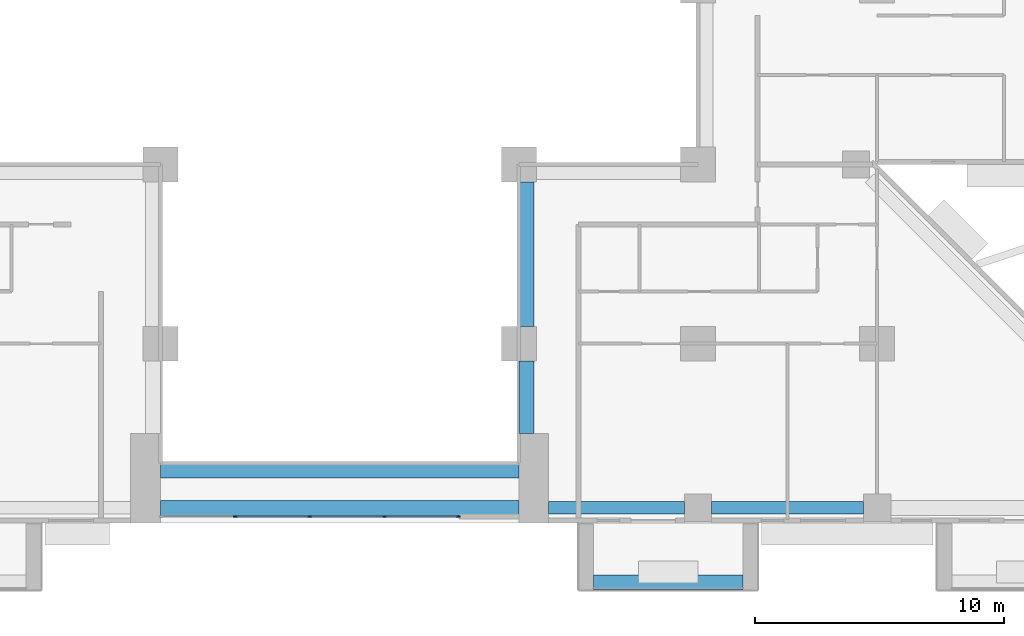
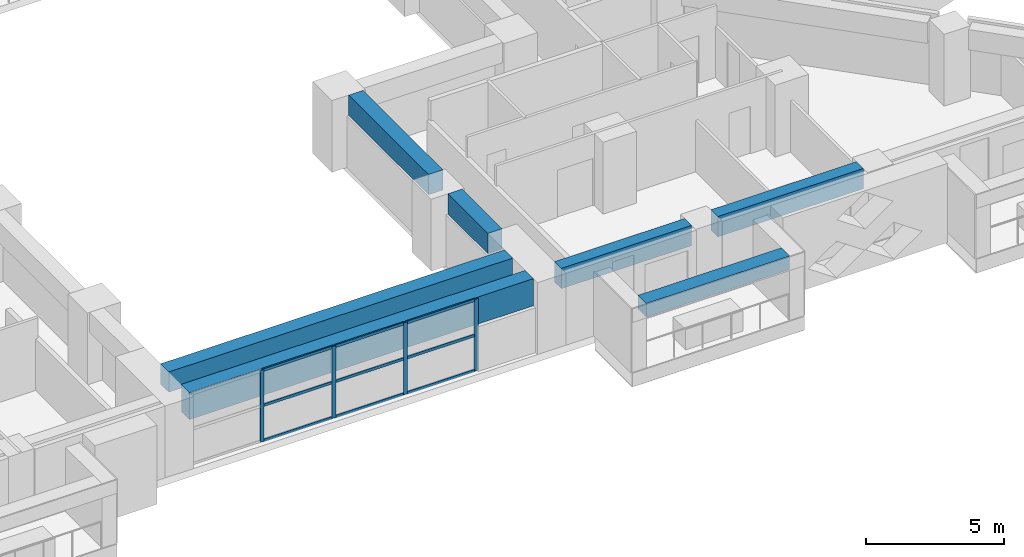
# One storey, part 4 of 17: 13 members, 7 beams, 1 element without a shape of its own.
"""IFC4 building model written with IfcOpenShell, lengths in metres."""

import ifcopenshell
import ifcopenshell.guid

model = None  # the IFC model being written
_history = None  # IfcOwnerHistory: only IFC2X3 demands one
_inside = {}  # id of a spatial element -> (the spatial element, [elements in it])
_under = {}  # id of a project, library or spatial element -> (it, [spatial elements below it])
_declared = {}  # id of a project -> (the project, [libraries it declares])
_typed = {}  # id of a type object -> (the type object, [elements of that type])
_made_of = {}  # id of a material, layer set ... -> (it, [elements and type objects made of it])


def new_model(schema):
    """Start an empty IFC model of exactly this schema.

    Asked for "IFC4X3", IfcOpenShell would pick the latest addendum, in which some entities
    have other attributes; the version numbers below select the first issue.
    IFC2X3 requires an IfcOwnerHistory on every rooted entity: one is made here for all.
    """
    global model, _history
    if schema == "IFC4X3":
        model = ifcopenshell.file(schema_version=(4, 3, 0, 0))
    else:
        model = ifcopenshell.file(schema=schema)
    _inside.clear()
    _under.clear()
    _declared.clear()
    _typed.clear()
    _made_of.clear()
    _history = None
    if model.schema == "IFC2X3":
        org = make("IfcOrganization", Name="unknown")
        user = make(
            "IfcPersonAndOrganization",
            ThePerson=make("IfcPerson", FamilyName="unknown"),
            TheOrganization=org,
        )
        app = make(
            "IfcApplication",
            ApplicationDeveloper=org,
            Version="unknown",
            ApplicationFullName="unknown",
            ApplicationIdentifier="unknown",
        )
        _history = make(
            "IfcOwnerHistory",
            OwningUser=user,
            OwningApplication=app,
            ChangeAction="ADDED",
            CreationDate=0,
        )
    return model


def make(cls, **values):
    """One entity of the class cls with the attributes given. An attribute that is None is left unset."""
    return model.create_entity(
        cls, **{name: value for name, value in values.items() if value is not None}
    )


def rooted(cls, **values):
    """An entity with a GlobalId (a new one), such as an element, a storey or a relation."""
    return make(cls, GlobalId=ifcopenshell.guid.new(), OwnerHistory=_history, **values)


def si_unit(unit_type, name, prefix=None):
    """IfcSIUnit, for example si_unit("LENGTHUNIT", "METRE", prefix="MILLI")."""
    return make("IfcSIUnit", UnitType=unit_type, Prefix=prefix, Name=name)


def assignment(units):
    """IfcUnitAssignment: the units of a project."""
    return None if units is None else make("IfcUnitAssignment", Units=units)


def point(xyz):
    """IfcCartesianPoint."""
    return None if xyz is None else make("IfcCartesianPoint", Coordinates=xyz)


def direction(xyz):
    """IfcDirection."""
    return None if xyz is None else make("IfcDirection", DirectionRatios=xyz)


def frame(location, z_axis=None, x_axis=None):
    """IfcAxis2Placement3D, a coordinate frame: its origin and axes. An axis left out is left unset."""
    return make(
        "IfcAxis2Placement3D",
        Location=point(location),
        Axis=direction(z_axis),
        RefDirection=direction(x_axis),
    )


def frame_2d(location, x_axis=None):
    """IfcAxis2Placement2D, a coordinate frame in the plane: its origin and x axis."""
    return make(
        "IfcAxis2Placement2D", Location=point(location), RefDirection=direction(x_axis)
    )


def origin():
    """The frame at (0, 0, 0) with its axes left unset."""
    return frame((0.0, 0.0, 0.0))


def origin_2d():
    """The frame at (0, 0) in the plane with its x axis left unset."""
    return frame_2d((0.0, 0.0))


def place(relative_to, where):
    """IfcLocalPlacement: puts the frame where relative to a parent placement (None: the world)."""
    return make(
        "IfcLocalPlacement", PlacementRelTo=relative_to, RelativePlacement=where
    )


def context(
    kind, dimensions, precision=None, world=None, true_north=None, identifier=None
):
    """IfcGeometricRepresentationContext, for example the 3D "Model" context."""
    return make(
        "IfcGeometricRepresentationContext",
        ContextIdentifier=identifier,
        ContextType=kind,
        CoordinateSpaceDimension=dimensions,
        Precision=precision,
        WorldCoordinateSystem=world,
        TrueNorth=true_north,
    )


def subcontext(parent, identifier, kind, view, scale=None):
    """IfcGeometricRepresentationSubContext, for example "Body" below "Model"."""
    return make(
        "IfcGeometricRepresentationSubContext",
        ContextIdentifier=identifier,
        ContextType=kind,
        ParentContext=parent,
        TargetScale=scale,
        TargetView=view,
    )


def project(units=None, contexts=None):
    """IfcProject with its units and contexts."""
    return rooted(
        "IfcProject",
        Name="project",
        RepresentationContexts=contexts,
        UnitsInContext=assignment(units),
    )


def spatial(cls, under=None, at=None, **own):
    """A site, building, storey or space (cls), placed at a placement, below another one or the project."""
    s = rooted(cls, ObjectPlacement=at, **own)
    if under is not None:
        _under.setdefault(under.id(), (under, []))[1].append(s)
    return s


def profile(cls, at=None, kind="AREA", **sizes):
    """A parametric profile (cls). Its sizes go by their IFC names, for example OverallWidth=200.0."""
    return make(cls, ProfileType=kind, Position=at, **sizes)


def rectangle(**sizes):
    """IfcRectangleProfileDef."""
    return profile("IfcRectangleProfileDef", **sizes)


def extrude(swept, where, along, depth):
    """IfcExtrudedAreaSolid: the profile swept, set in the frame where, extruded along a direction by depth."""
    return make(
        "IfcExtrudedAreaSolid",
        SweptArea=swept,
        Position=where,
        ExtrudedDirection=direction(along),
        Depth=depth,
    )


def shape(context_of_items, identifier, shape_type, items):
    """IfcShapeRepresentation: the items that make up one representation, for example the "Body"."""
    return make(
        "IfcShapeRepresentation",
        ContextOfItems=context_of_items,
        RepresentationIdentifier=identifier,
        RepresentationType=shape_type,
        Items=items,
    )


def source(mapping_origin, context_of_items, identifier, shape_type, items):
    """IfcRepresentationMap: a shape defined once, which mapped items show again and again."""
    return make(
        "IfcRepresentationMap",
        MappingOrigin=mapping_origin,
        MappedRepresentation=shape(context_of_items, identifier, shape_type, items),
    )


def transform(
    local_origin,
    x_axis=None,
    y_axis=None,
    z_axis=None,
    scale=None,
    scale2=None,
    scale3=None,
    uniform=True,
):
    """IfcCartesianTransformationOperator3D, or its non-uniform kind. x_axis, y_axis, z_axis: its Axis1, 2, 3."""
    if uniform:
        return make(
            "IfcCartesianTransformationOperator3D",
            Axis1=direction(x_axis),
            Axis2=direction(y_axis),
            LocalOrigin=point(local_origin),
            Scale=scale,
            Axis3=direction(z_axis),
        )
    return make(
        "IfcCartesianTransformationOperator3DnonUniform",
        Axis1=direction(x_axis),
        Axis2=direction(y_axis),
        LocalOrigin=point(local_origin),
        Scale=scale,
        Axis3=direction(z_axis),
        Scale2=scale2,
        Scale3=scale3,
    )


def mapped(mapping_source, mapping_target):
    """IfcMappedItem: shows the shape of a source again, moved by a transform."""
    return make(
        "IfcMappedItem", MappingSource=mapping_source, MappingTarget=mapping_target
    )


def material(Name=None, Category=None):
    """IfcMaterial."""
    return make("IfcMaterial", Name=Name, Category=Category)


def layer(
    of_material, thickness, ventilated=None, Name=None, Category=None, Priority=None
):
    """IfcMaterialLayer: one layer of a wall or slab, of a material (None: an air gap)."""
    return make(
        "IfcMaterialLayer",
        Material=of_material,
        LayerThickness=thickness,
        IsVentilated=ventilated,
        Name=Name,
        Category=Category,
        Priority=Priority,
    )


def layer_set(layers, Name=None):
    """IfcMaterialLayerSet."""
    return make("IfcMaterialLayerSet", MaterialLayers=layers, LayerSetName=Name)


def material_profile(
    of_material, cross_section, Name=None, Category=None, Priority=None
):
    """IfcMaterialProfile: a cross section and its material."""
    return make(
        "IfcMaterialProfile",
        Name=Name,
        Material=of_material,
        Profile=cross_section,
        Priority=Priority,
        Category=Category,
    )


def profile_set(profiles, Name=None, composite=None):
    """IfcMaterialProfileSet."""
    return make(
        "IfcMaterialProfileSet",
        Name=Name,
        MaterialProfiles=profiles,
        CompositeProfile=composite,
    )


def made_of(thing, what):
    """Note that an element or type object is made of a material, layer set ...; save() writes the relation."""
    if what is not None:
        _made_of.setdefault(what.id(), (what, []))[1].append(thing)
    return thing


def type_object(cls, material=None, **own):
    """A type object (cls), such as IfcWallType, which elements share."""
    return made_of(rooted(cls, **own), material)


def element(
    cls,
    number,
    at=None,
    inside=None,
    cuts=None,
    type_object=None,
    material=None,
    context=None,
    identifier="Body",
    shape_type=None,
    held_by="IfcProductDefinitionShape",
    body=None,
    shapes=None,
    **own,
):
    """One element of the class cls, such as IfcWall. Its Tag is "e" and its number.

    at: its placement. inside: the storey or other place that contains it. cuts: it is an
    opening in that element (IfcRelVoidsElement). A single representation is given by context,
    identifier, shape_type and body (its items); several are given by shapes. held_by: the class
    of the entity that holds the representations. save() writes the other relations.
    """
    e = rooted(cls, Tag="e%d" % number, ObjectPlacement=at, **own)
    if body is not None:
        shapes = [shape(context, identifier, shape_type, body)]
    if shapes is not None:
        e.Representation = make(held_by, Representations=shapes)
    if inside is not None:
        _inside.setdefault(inside.id(), (inside, []))[1].append(e)
    if cuts is not None:
        rooted(
            "IfcRelVoidsElement", RelatingBuildingElement=cuts, RelatedOpeningElement=e
        )
    if type_object is not None:
        _typed.setdefault(type_object.id(), (type_object, []))[1].append(e)
    return made_of(e, material)


def aggregate(whole, parts):
    """IfcRelAggregates: a whole, such as a stair, and the parts it consists of."""
    return rooted("IfcRelAggregates", RelatingObject=whole, RelatedObjects=parts)


def save(model, path):
    """Write the relations noted so far, then the file.

    IfcRelAggregates (storeys below a building ...), IfcRelContainedInSpatialStructure (elements
    in a storey), IfcRelDefinesByType, IfcRelAssociatesMaterial and IfcRelDeclares: one each for
    every whole, place, type object, material and project.
    """
    for whole, parts in _under.values():
        aggregate(whole, parts)
    for where, things in _inside.values():
        rooted(
            "IfcRelContainedInSpatialStructure",
            RelatedElements=things,
            RelatingStructure=where,
        )
    for kind, things in _typed.values():
        rooted("IfcRelDefinesByType", RelatedObjects=things, RelatingType=kind)
    for what, things in _made_of.values():
        rooted("IfcRelAssociatesMaterial", RelatedObjects=things, RelatingMaterial=what)
    for by, libraries in _declared.values():
        rooted("IfcRelDeclares", RelatingContext=by, RelatedDefinitions=libraries)
    model.write(path)


model = new_model("IFC4")

# Units and contexts
model_context = context("Model", 3, precision=1e-05, world=origin(), true_north=direction((0.0, 1.0)))
body_context = subcontext(model_context, "Body", "Model", "MODEL_VIEW")
ifc_project = project(units=[si_unit("LENGTHUNIT", "METRE"), si_unit("AREAUNIT", "SQUARE_METRE"), si_unit("VOLUMEUNIT", "CUBIC_METRE"), si_unit("PLANEANGLEUNIT", "RADIAN"), si_unit("MASSUNIT", "GRAM", prefix="KILO")], contexts=[model_context])

# Site, building, storey
site_placement = place(None, origin())
site = spatial("IfcSite", under=ifc_project, at=site_placement, CompositionType="ELEMENT")
building_placement = place(site_placement, origin())
building = spatial("IfcBuilding", under=site, at=building_placement, Name="Saffron Iwan Residences", CompositionType="ELEMENT")
storey_placement = place(building_placement, frame((0.0, 0.0, 37.5)))
storey = spatial("IfcBuildingStorey", under=building, at=storey_placement, Name="L08", CompositionType="ELEMENT", Elevation=37.5)

# Beams
ifc_material_1 = material(Name="Concrete C60/75", Category="concrete")
ifc_material_profile_1 = material_profile(ifc_material_1, rectangle(XDim=0.5, YDim=0.89990234375, at=origin_2d()), Name="RC 500x900")
ifc_profile_set_1 = profile_set([ifc_material_profile_1], Name="Concrete C60/75")
beam_type_1 = type_object("IfcBeamType", Name="SPANDREL BEAM RC 500x900 C60/75 TOP 3180", PredefinedType="SPANDREL", material=ifc_profile_set_1)
shared_shape_1 = source(origin(), body_context, "Body", "SweptSolid", [
    extrude(rectangle(XDim=0.5, YDim=0.89990234375, at=origin_2d()), origin(), (0.0, 0.0, 1.0), 6.099853515625),
])
beam_1_placement = place(storey_placement, frame((71.449951171875, 34.199951171875, 2.72998046875), z_axis=(-1.0, 0.0, 0.0), x_axis=(0.0, -1.0, 0.0)))
element("IfcBeam", 1, at=beam_1_placement, inside=storey, type_object=beam_type_1, Name="Spandrel beam", PredefinedType="SPANDREL", context=body_context, shape_type="MappedRepresentation", body=[
    mapped(shared_shape_1, transform((0.0, 0.0, 0.0))),
])
shared_shape_2 = source(origin(), body_context, "Body", "SweptSolid", [
    extrude(rectangle(XDim=0.5, YDim=0.89990234375, at=origin_2d()), origin(), (0.0, 0.0, 1.0), 5.449951171875),
])
beam_2_placement = place(storey_placement, frame((64.25, 34.199951171875, 2.72998046875), z_axis=(-1.0, 0.0, 0.0), x_axis=(0.0, -1.0, 0.0)))
element("IfcBeam", 2, at=beam_2_placement, inside=storey, type_object=beam_type_1, Name="Spandrel beam", PredefinedType="SPANDREL", context=body_context, shape_type="MappedRepresentation", body=[
    mapped(shared_shape_2, transform((0.0, 0.0, 0.0))),
])
ifc_material_profile_2 = material_profile(ifc_material_1, rectangle(XDim=0.60009765625, YDim=1.199951171875, at=origin_2d()), Name="RC 600x1200")
ifc_profile_set_2 = profile_set([ifc_material_profile_2], Name="Concrete C60/75")
beam_type_2 = type_object("IfcBeamType", Name="LINTEL BEAM RC 600x1200 C60/75 TOP 3180", PredefinedType="LINTEL", material=ifc_profile_set_2)
shared_shape_3 = source(origin(), body_context, "Body", "SweptSolid", [
    extrude(rectangle(XDim=0.60009765625, YDim=1.199951171875, at=origin_2d()), origin(), (0.0, 0.0, 1.0), 14.400146484375),
])
beam_3_placement = place(storey_placement, frame((57.60009765625, 34.199951171875, 2.580078125), z_axis=(-1.0, 0.0, 0.0), x_axis=(0.0, -1.0, 0.0)))
element("IfcBeam", 3, at=beam_3_placement, inside=storey, type_object=beam_type_2, Name="Lintel beam over the iwan", PredefinedType="LINTEL", context=body_context, shape_type="MappedRepresentation", body=[
    mapped(shared_shape_3, transform((0.0, 0.0, 0.0))),
])
ifc_material_profile_3 = material_profile(ifc_material_1, rectangle(XDim=0.60009765625, YDim=0.89990234375, at=origin_2d()), Name="RC 600x900")
ifc_profile_set_3 = profile_set([ifc_material_profile_3], Name="Concrete C60/75")
beam_type_3 = type_object("IfcBeamType", Name="BEAM RC 600x900 C60/75 TOP 3180", PredefinedType="BEAM", material=ifc_profile_set_3)
shared_shape_4 = source(origin(), body_context, "Body", "SweptSolid", [
    extrude(rectangle(XDim=0.60009765625, YDim=0.89990234375, at=origin_2d()), origin(), (0.0, 0.0, 1.0), 14.400146484375),
])
beam_4_placement = place(storey_placement, frame((57.60009765625, 35.699951171875, 2.72998046875), z_axis=(-1.0, 0.0, 0.0), x_axis=(0.0, -1.0, 0.0)))
element("IfcBeam", 4, at=beam_4_placement, inside=storey, type_object=beam_type_3, Name="Atrium edge beam", PredefinedType="BEAM", context=body_context, shape_type="MappedRepresentation", body=[
    mapped(shared_shape_4, transform((0.0, 0.0, 0.0))),
])
shared_shape_5 = source(origin(), body_context, "Body", "SweptSolid", [
    extrude(rectangle(XDim=0.60009765625, YDim=0.89990234375, at=origin_2d()), origin(), (0.0, 0.0, 1.0), 2.900146484375),
])
beam_5_placement = place(storey_placement, frame((57.89990234375, 40.10009765625, 2.72998046875), z_axis=(0.0, -1.0, 0.0), x_axis=(1.0, 0.0, 0.0)))
element("IfcBeam", 5, at=beam_5_placement, inside=storey, type_object=beam_type_3, Name="Atrium edge beam", PredefinedType="BEAM", context=body_context, shape_type="MappedRepresentation", body=[
    mapped(shared_shape_5, transform((0.0, 0.0, 0.0))),
])
shared_shape_6 = source(origin(), body_context, "Body", "SweptSolid", [
    extrude(rectangle(XDim=0.60009765625, YDim=0.89990234375, at=origin_2d()), origin(), (0.0, 0.0, 1.0), 5.800048828125),
])
beam_6_placement = place(storey_placement, frame((57.89990234375, 47.300048828125, 2.72998046875), z_axis=(0.0, -1.0, 0.0), x_axis=(1.0, 0.0, 0.0)))
element("IfcBeam", 6, at=beam_6_placement, inside=storey, type_object=beam_type_3, Name="Atrium edge beam", PredefinedType="BEAM", context=body_context, shape_type="MappedRepresentation", body=[
    mapped(shared_shape_6, transform((0.0, 0.0, 0.0))),
])

# Curtain wall, members
ifc_material_2 = material(Name="Clear glass, laminated double glazed", Category="glass")
ifc_layer = layer(ifc_material_2, 0.199951171875)
ifc_layer_set = layer_set([ifc_layer], Name="Clear glass, laminated double glazed")
curtain_wall_type = type_object("IfcCurtainWallType", Name="CW-B IWAN PORTAL", PredefinedType="NOTDEFINED", material=ifc_layer_set)
curtain_wall_placement = place(storey_placement, origin())
curtain_wall = element("IfcCurtainWall", 7, at=curtain_wall_placement, inside=storey, type_object=curtain_wall_type, Name="Iwan portal glazing L08.1", PredefinedType="NOTDEFINED")
ifc_material_3 = material(Name="Aluminium 6063-T6", Category="aluminium")
ifc_material_profile_4 = material_profile(ifc_material_3, rectangle(XDim=0.06005859375, YDim=0.159912109375, at=origin_2d()), Name="CW-B MULLION 60 x 160")
ifc_profile_set_4 = profile_set([ifc_material_profile_4], Name="Aluminium 6063-T6")
member_type_1 = type_object("IfcMemberType", Name="CW-B MULLION 60 x 160", PredefinedType="MULLION", material=ifc_profile_set_4)
shared_shape_7 = source(origin(), body_context, "Body", "SweptSolid", [
    extrude(rectangle(XDim=0.06005859375, YDim=0.159912109375, at=origin_2d()), origin(), (0.0, 0.0, 1.0), 3.179931640625),
])
member_1_placement = place(storey_placement, frame((46.199951171875, 33.85009765625, 0.0), z_axis=(0.0, 0.0, 1.0), x_axis=(0.0, 1.0, 0.0)))
member_1 = element("IfcMember", 8, at=member_1_placement, type_object=member_type_1, Name="CW-B mullion 2", PredefinedType="MULLION", context=body_context, shape_type="MappedRepresentation", body=[
    mapped(shared_shape_7, transform((0.0, 0.0, 0.0))),
])
member_2_placement = place(storey_placement, frame((49.199951171875, 33.85009765625, 0.0), z_axis=(0.0, 0.0, 1.0), x_axis=(0.0, 1.0, 0.0)))
member_2 = element("IfcMember", 9, at=member_2_placement, type_object=member_type_1, Name="CW-B mullion 3", PredefinedType="MULLION", context=body_context, shape_type="MappedRepresentation", body=[
    mapped(shared_shape_7, transform((0.0, 0.0, 0.0))),
])
member_3_placement = place(storey_placement, frame((52.199951171875, 33.85009765625, 0.0), z_axis=(0.0, 0.0, 1.0), x_axis=(0.0, 1.0, 0.0)))
member_3 = element("IfcMember", 10, at=member_3_placement, type_object=member_type_1, Name="CW-B mullion 4", PredefinedType="MULLION", context=body_context, shape_type="MappedRepresentation", body=[
    mapped(shared_shape_7, transform((0.0, 0.0, 0.0))),
])
member_4_placement = place(storey_placement, frame((55.169921875, 33.85009765625, 0.0), z_axis=(0.0, 0.0, 1.0), x_axis=(0.0, 1.0, 0.0)))
member_4 = element("IfcMember", 11, at=member_4_placement, type_object=member_type_1, Name="CW-B mullion 5", PredefinedType="MULLION", context=body_context, shape_type="MappedRepresentation", body=[
    mapped(shared_shape_7, transform((0.0, 0.0, 0.0))),
])
ifc_material_profile_5 = material_profile(ifc_material_3, rectangle(XDim=0.06005859375, YDim=0.1201171875, at=origin_2d()), Name="CW-B TRANSOM 60 x 120")
ifc_profile_set_5 = profile_set([ifc_material_profile_5], Name="Aluminium 6063-T6")
member_type_2 = type_object("IfcMemberType", Name="CW-B TRANSOM 60 x 120", PredefinedType="USERDEFINED", material=ifc_profile_set_5)
shared_shape_8 = source(origin(), body_context, "Body", "SweptSolid", [
    extrude(rectangle(XDim=0.06005859375, YDim=0.1201171875, at=origin_2d()), origin(), (0.0, 0.0, 1.0), 2.909912109375),
])
member_5_placement = place(storey_placement, frame((52.22998046875, 33.85009765625, 0.030029296875), z_axis=(1.0, 0.0, 0.0), x_axis=(0.0, 1.0, 0.0)))
member_5 = element("IfcMember", 12, at=member_5_placement, type_object=member_type_2, Name="CW-B transom 4.1", ObjectType="TRANSOM", PredefinedType="USERDEFINED", context=body_context, shape_type="MappedRepresentation", body=[
    mapped(shared_shape_8, transform((0.0, 0.0, 0.0))),
])
member_6_placement = place(storey_placement, frame((52.22998046875, 33.85009765625, 1.590087890625), z_axis=(1.0, 0.0, 0.0), x_axis=(0.0, 1.0, 0.0)))
member_6 = element("IfcMember", 13, at=member_6_placement, type_object=member_type_2, Name="CW-B transom 4.2", ObjectType="TRANSOM", PredefinedType="USERDEFINED", context=body_context, shape_type="MappedRepresentation", body=[
    mapped(shared_shape_8, transform((0.0, 0.0, 0.0))),
])
member_7_placement = place(storey_placement, frame((52.22998046875, 33.85009765625, 3.14990234375), z_axis=(1.0, 0.0, 0.0), x_axis=(0.0, 1.0, 0.0)))
member_7 = element("IfcMember", 14, at=member_7_placement, type_object=member_type_2, Name="CW-B transom 4.3", ObjectType="TRANSOM", PredefinedType="USERDEFINED", context=body_context, shape_type="MappedRepresentation", body=[
    mapped(shared_shape_8, transform((0.0, 0.0, 0.0))),
])
shared_shape_9 = source(origin(), body_context, "Body", "SweptSolid", [
    extrude(rectangle(XDim=0.06005859375, YDim=0.1201171875, at=origin_2d()), origin(), (0.0, 0.0, 1.0), 2.93994140625),
])
member_8_placement = place(storey_placement, frame((46.22998046875, 33.85009765625, 0.030029296875), z_axis=(1.0, 0.0, 0.0), x_axis=(0.0, 1.0, 0.0)))
member_8 = element("IfcMember", 15, at=member_8_placement, type_object=member_type_2, Name="CW-B transom 2.1", ObjectType="TRANSOM", PredefinedType="USERDEFINED", context=body_context, shape_type="MappedRepresentation", body=[
    mapped(shared_shape_9, transform((0.0, 0.0, 0.0))),
])
member_9_placement = place(storey_placement, frame((46.22998046875, 33.85009765625, 1.590087890625), z_axis=(1.0, 0.0, 0.0), x_axis=(0.0, 1.0, 0.0)))
member_9 = element("IfcMember", 16, at=member_9_placement, type_object=member_type_2, Name="CW-B transom 2.2", ObjectType="TRANSOM", PredefinedType="USERDEFINED", context=body_context, shape_type="MappedRepresentation", body=[
    mapped(shared_shape_9, transform((0.0, 0.0, 0.0))),
])
member_10_placement = place(storey_placement, frame((46.22998046875, 33.85009765625, 3.14990234375), z_axis=(1.0, 0.0, 0.0), x_axis=(0.0, 1.0, 0.0)))
member_10 = element("IfcMember", 17, at=member_10_placement, type_object=member_type_2, Name="CW-B transom 2.3", ObjectType="TRANSOM", PredefinedType="USERDEFINED", context=body_context, shape_type="MappedRepresentation", body=[
    mapped(shared_shape_9, transform((0.0, 0.0, 0.0))),
])
member_11_placement = place(storey_placement, frame((49.22998046875, 33.85009765625, 0.030029296875), z_axis=(1.0, 0.0, 0.0), x_axis=(0.0, 1.0, 0.0)))
member_11 = element("IfcMember", 18, at=member_11_placement, type_object=member_type_2, Name="CW-B transom 3.1", ObjectType="TRANSOM", PredefinedType="USERDEFINED", context=body_context, shape_type="MappedRepresentation", body=[
    mapped(shared_shape_9, transform((0.0, 0.0, 0.0))),
])
member_12_placement = place(storey_placement, frame((49.22998046875, 33.85009765625, 1.590087890625), z_axis=(1.0, 0.0, 0.0), x_axis=(0.0, 1.0, 0.0)))
member_12 = element("IfcMember", 19, at=member_12_placement, type_object=member_type_2, Name="CW-B transom 3.2", ObjectType="TRANSOM", PredefinedType="USERDEFINED", context=body_context, shape_type="MappedRepresentation", body=[
    mapped(shared_shape_9, transform((0.0, 0.0, 0.0))),
])
member_13_placement = place(storey_placement, frame((49.22998046875, 33.85009765625, 3.14990234375), z_axis=(1.0, 0.0, 0.0), x_axis=(0.0, 1.0, 0.0)))
member_13 = element("IfcMember", 20, at=member_13_placement, type_object=member_type_2, Name="CW-B transom 3.3", ObjectType="TRANSOM", PredefinedType="USERDEFINED", context=body_context, shape_type="MappedRepresentation", body=[
    mapped(shared_shape_9, transform((0.0, 0.0, 0.0))),
])
aggregate(curtain_wall, [member_1, member_2, member_3, member_4, member_8, member_9, member_10, member_11, member_12, member_13, member_5, member_6, member_7])

# Beam
ifc_material_4 = material(Name="Concrete C50/60 white painted", Category="concrete")
ifc_material_profile_6 = material_profile(ifc_material_4, rectangle(XDim=0.60009765625, YDim=0.60009765625, at=origin_2d()), Name="BALCONY FASCIA BEAM 600 x 600")
ifc_profile_set_6 = profile_set([ifc_material_profile_6], Name="Concrete C50/60 white painted")
beam_type_4 = type_object("IfcBeamType", Name="BALCONY FASCIA BEAM 600 x 600", PredefinedType="BEAM", material=ifc_profile_set_6)
shared_shape_10 = source(origin(), body_context, "Body", "SweptSolid", [
    extrude(rectangle(XDim=0.60009765625, YDim=0.60009765625, at=origin_2d()), origin(), (0.0, 0.0, 1.0), 6.0),
])
beam_7_placement = place(storey_placement, frame((60.60009765625, 31.199951171875, 2.550048828125), z_axis=(1.0, 0.0, 0.0), x_axis=(0.0, 1.0, 0.0)))
element("IfcBeam", 21, at=beam_7_placement, inside=storey, type_object=beam_type_4, Name="Balcony fascia beam L08 11-1", PredefinedType="BEAM", context=body_context, shape_type="MappedRepresentation", body=[
    mapped(shared_shape_10, transform((0.0, 0.0, 0.0))),
])

save(model, "model.ifc")
